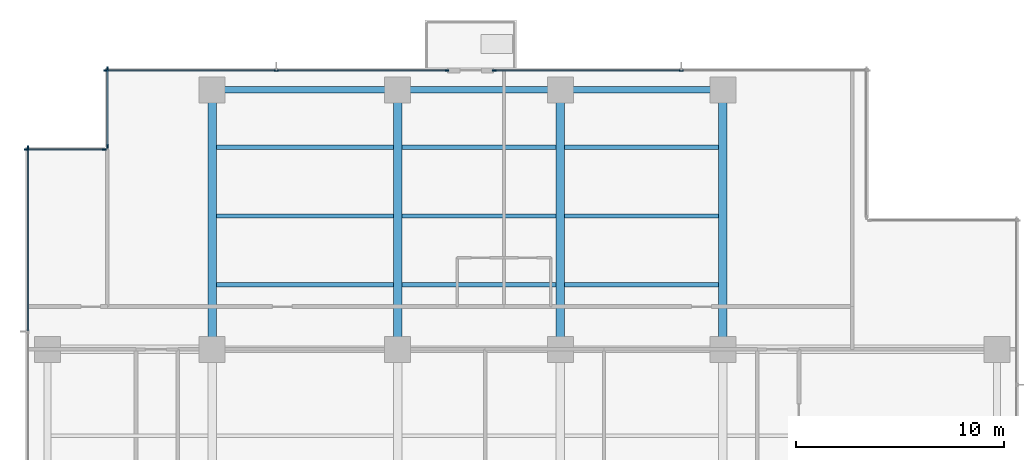
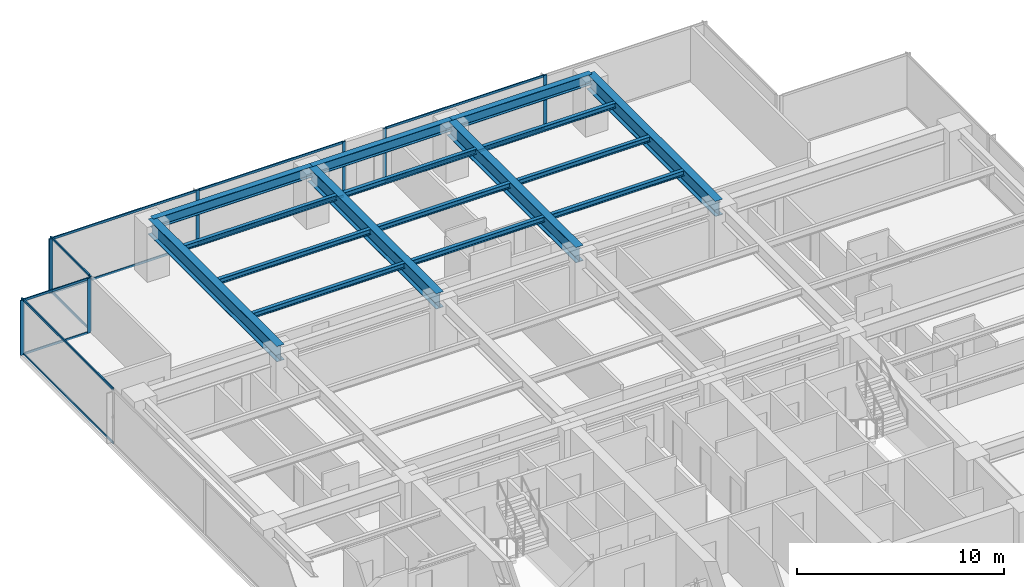
# One storey, part 5 of 16: 22 members, 16 beams, 5 elements without a shape of their own.
"""IFC4 building model written with IfcOpenShell, lengths in metres."""

from ifc_helpers import new_model, si_unit, direction, frame, origin, origin_2d, place, context, subcontext, project, spatial, rectangle, i_section, extrude, material, layer, layer_set, material_profile, profile_set, type_object, element, aggregate, save


model = new_model("IFC4")

# Units and contexts
model_context = context("Model", 3, precision=1e-05, world=origin(), true_north=direction((0.0, 1.0)))
body_context = subcontext(model_context, "Body", "Model", "MODEL_VIEW")
ifc_project = project(units=[si_unit("LENGTHUNIT", "METRE"), si_unit("AREAUNIT", "SQUARE_METRE"), si_unit("VOLUMEUNIT", "CUBIC_METRE"), si_unit("PLANEANGLEUNIT", "RADIAN"), si_unit("MASSUNIT", "GRAM", prefix="KILO")], contexts=[model_context])

# Site, building, storey
site_placement = place(None, origin())
site = spatial("IfcSite", under=ifc_project, at=site_placement, CompositionType="ELEMENT")
building_placement = place(site_placement, origin())
building = spatial("IfcBuilding", under=site, at=building_placement, Name="Qalmaran Belvedere Hotel", CompositionType="ELEMENT")
storey_placement = place(building_placement, frame((0.0, 0.0, 123.199951171875)))
storey = spatial("IfcBuildingStorey", under=building, at=storey_placement, Name="L31", CompositionType="ELEMENT", Elevation=123.199951171875)

# Beams
ifc_material_1 = material(Name="Steel S355JR", Category="steel")
ifc_material_profile_1 = material_profile(ifc_material_1, i_section(OverallWidth=0.202880859375, OverallDepth=0.302978515625, WebThickness=0.007568359375, FlangeThickness=0.01318359375, FilletRadius=0.012939453125, at=origin_2d()), Name="W310X60")
ifc_profile_set_1 = profile_set([ifc_material_profile_1], Name="Steel S355JR")
beam_type_1 = type_object("IfcBeamType", Name="BM-JST-W310X60", PredefinedType="JOIST", material=ifc_profile_set_1)
beam_1_placement = place(storey_placement, frame((20.507080078125, 36.10009765625, 3.088623046875), z_axis=(1.0, 0.0, 0.0), x_axis=(0.0, 1.0, 0.0)))
element("IfcBeam", 1, at=beam_1_placement, inside=storey, type_object=beam_type_1, Name="L31 North Floor Joist 042", PredefinedType="JOIST", context=body_context, shape_type="SweptSolid", body=[
    extrude(i_section(OverallWidth=0.202880859375, OverallDepth=0.302978515625, WebThickness=0.007568359375, FlangeThickness=0.01318359375, FilletRadius=0.012939453125, at=origin_2d()), origin(), (0.0, 0.0, 1.0), 8.48583984375),
])
for number, where, z_axis, x_axis, name in (
    (2, (29.406982421875, 36.10009765625, 3.088623046875), (1.0, 0.0, 0.0), (0.0, 1.0, 0.0), "L31 North Floor Joist 043"),
    (3, (37.20703125, 36.10009765625, 3.088623046875), (1.0, 0.0, 0.0), (0.0, 1.0, 0.0), "L31 North Floor Joist 044"),
):
    element("IfcBeam", number, at=place(storey_placement, frame(where, z_axis=z_axis, x_axis=x_axis)), inside=storey, type_object=beam_type_1, Name=name, PredefinedType="JOIST", context=body_context, shape_type="SweptSolid", body=[
        extrude(i_section(OverallWidth=0.202880859375, OverallDepth=0.302978515625, WebThickness=0.007568359375, FlangeThickness=0.01318359375, FilletRadius=0.012939453125, at=origin_2d()), origin(), (0.0, 0.0, 1.0), 7.385986328125),
    ])
beam_2_placement = place(storey_placement, frame((20.507080078125, 39.39990234375, 3.088623046875), z_axis=(1.0, 0.0, 0.0), x_axis=(0.0, 1.0, 0.0)))
element("IfcBeam", 4, at=beam_2_placement, inside=storey, type_object=beam_type_1, Name="L31 North Floor Joist 045", PredefinedType="JOIST", context=body_context, shape_type="SweptSolid", body=[
    extrude(i_section(OverallWidth=0.202880859375, OverallDepth=0.302978515625, WebThickness=0.007568359375, FlangeThickness=0.01318359375, FilletRadius=0.012939453125, at=origin_2d()), origin(), (0.0, 0.0, 1.0), 8.48583984375),
])
for number, where, z_axis, x_axis, name in (
    (5, (29.406982421875, 39.39990234375, 3.088623046875), (1.0, 0.0, 0.0), (0.0, 1.0, 0.0), "L31 North Floor Joist 046"),
    (6, (37.20703125, 39.39990234375, 3.088623046875), (1.0, 0.0, 0.0), (0.0, 1.0, 0.0), "L31 North Floor Joist 047"),
):
    element("IfcBeam", number, at=place(storey_placement, frame(where, z_axis=z_axis, x_axis=x_axis)), inside=storey, type_object=beam_type_1, Name=name, PredefinedType="JOIST", context=body_context, shape_type="SweptSolid", body=[
        extrude(i_section(OverallWidth=0.202880859375, OverallDepth=0.302978515625, WebThickness=0.007568359375, FlangeThickness=0.01318359375, FilletRadius=0.012939453125, at=origin_2d()), origin(), (0.0, 0.0, 1.0), 7.385986328125),
    ])
beam_3_placement = place(storey_placement, frame((20.507080078125, 42.699951171875, 3.088623046875), z_axis=(1.0, 0.0, 0.0), x_axis=(0.0, 1.0, 0.0)))
element("IfcBeam", 7, at=beam_3_placement, inside=storey, type_object=beam_type_1, Name="L31 North Floor Joist 048", PredefinedType="JOIST", context=body_context, shape_type="SweptSolid", body=[
    extrude(i_section(OverallWidth=0.202880859375, OverallDepth=0.302978515625, WebThickness=0.007568359375, FlangeThickness=0.01318359375, FilletRadius=0.012939453125, at=origin_2d()), origin(), (0.0, 0.0, 1.0), 8.48583984375),
])
for number, where, z_axis, x_axis, name in (
    (8, (29.406982421875, 42.699951171875, 3.088623046875), (1.0, 0.0, 0.0), (0.0, 1.0, 0.0), "L31 North Floor Joist 049"),
    (9, (37.20703125, 42.699951171875, 3.088623046875), (1.0, 0.0, 0.0), (0.0, 1.0, 0.0), "L31 North Floor Joist 050"),
):
    element("IfcBeam", number, at=place(storey_placement, frame(where, z_axis=z_axis, x_axis=x_axis)), inside=storey, type_object=beam_type_1, Name=name, PredefinedType="JOIST", context=body_context, shape_type="SweptSolid", body=[
        extrude(i_section(OverallWidth=0.202880859375, OverallDepth=0.302978515625, WebThickness=0.007568359375, FlangeThickness=0.01318359375, FilletRadius=0.012939453125, at=origin_2d()), origin(), (0.0, 0.0, 1.0), 7.385986328125),
    ])
ifc_material_profile_2 = material_profile(ifc_material_1, i_section(OverallWidth=0.41796875, OverallDepth=0.912109375, WebThickness=0.019287109375, FlangeThickness=0.031982421875, FilletRadius=0.02392578125, at=origin_2d()), Name="W920X342")
ifc_profile_set_2 = profile_set([ifc_material_profile_2], Name="Steel S355JR")
beam_type_2 = type_object("IfcBeamType", Name="BM-PG2-W920X342", PredefinedType="USERDEFINED", material=ifc_profile_set_2)
for number, where, z_axis, x_axis, name in (
    (10, (20.300048828125, 33.0, 2.783935546875), (0.0, 1.0, 0.0), (-1.0, 0.0, 0.0), "L31 North Bay Girder 15"),
    (11, (29.199951171875, 33.0, 2.783935546875), (0.0, 1.0, 0.0), (-1.0, 0.0, 0.0), "L31 North Bay Girder 17"),
    (12, (37.0, 33.0, 2.783935546875), (0.0, 1.0, 0.0), (-1.0, 0.0, 0.0), "L31 North Bay Girder 19"),
    (13, (44.800048828125, 33.0, 2.783935546875), (0.0, 1.0, 0.0), (-1.0, 0.0, 0.0), "L31 North Bay Girder 21"),
):
    element("IfcBeam", number, at=place(storey_placement, frame(where, z_axis=z_axis, x_axis=x_axis)), inside=storey, type_object=beam_type_2, Name=name, ObjectType="GIRDER", PredefinedType="USERDEFINED", context=body_context, shape_type="SweptSolid", body=[
        extrude(i_section(OverallWidth=0.41796875, OverallDepth=0.912109375, WebThickness=0.019287109375, FlangeThickness=0.031982421875, FilletRadius=0.02392578125, at=origin_2d()), origin(), (0.0, 0.0, 1.0), 12.449951171875),
    ])
ifc_material_profile_3 = material_profile(ifc_material_1, i_section(OverallWidth=0.326904296875, OverallDepth=0.6220703125, WebThickness=0.015380859375, FlangeThickness=0.0244140625, FilletRadius=0.02001953125, at=origin_2d()), Name="W610X195")
ifc_profile_set_3 = profile_set([ifc_material_profile_3], Name="Steel S355JR")
beam_type_3 = type_object("IfcBeamType", Name="BM-SP1-W610X195", PredefinedType="SPANDREL", material=ifc_profile_set_3)
beam_4_placement = place(storey_placement, frame((20.300048828125, 45.449951171875, 2.928955078125), z_axis=(1.0, 0.0, 0.0), x_axis=(0.0, 1.0, 0.0)))
element("IfcBeam", 14, at=beam_4_placement, inside=storey, type_object=beam_type_3, Name="L31 Perimeter Spandrel 05", PredefinedType="SPANDREL", context=body_context, shape_type="SweptSolid", body=[
    extrude(i_section(OverallWidth=0.326904296875, OverallDepth=0.6220703125, WebThickness=0.015380859375, FlangeThickness=0.0244140625, FilletRadius=0.02001953125, at=origin_2d()), origin(), (0.0, 0.0, 1.0), 8.89990234375),
])
for number, where, z_axis, x_axis, name in (
    (15, (29.199951171875, 45.449951171875, 2.928955078125), (1.0, 0.0, 0.0), (0.0, 1.0, 0.0), "L31 Perimeter Spandrel 06"),
    (16, (37.0, 45.449951171875, 2.928955078125), (1.0, 0.0, 0.0), (0.0, 1.0, 0.0), "L31 Perimeter Spandrel 07"),
):
    element("IfcBeam", number, at=place(storey_placement, frame(where, z_axis=z_axis, x_axis=x_axis)), inside=storey, type_object=beam_type_3, Name=name, PredefinedType="SPANDREL", context=body_context, shape_type="SweptSolid", body=[
        extrude(i_section(OverallWidth=0.326904296875, OverallDepth=0.6220703125, WebThickness=0.015380859375, FlangeThickness=0.0244140625, FilletRadius=0.02001953125, at=origin_2d()), origin(), (0.0, 0.0, 1.0), 7.800048828125),
    ])

# Curtain wall, members
ifc_material_2 = material(Name="Anodised Bronze Aluminium", Category="aluminium")
ifc_layer = layer(ifc_material_2, 0.199951171875, Name="Anodised Bronze Aluminium")
ifc_layer_set = layer_set([ifc_layer], Name="Anodised Bronze Aluminium")
curtain_wall_type = type_object("IfcCurtainWallType", Name="CW3-TOWER-LOWMID", PredefinedType="NOTDEFINED", material=ifc_layer_set)
curtain_wall_1_placement = place(storey_placement, origin())
curtain_wall_1 = element("IfcCurtainWall", 17, at=curtain_wall_1_placement, inside=storey, type_object=curtain_wall_type, Name="L31 Curtain Wall CW3", PredefinedType="NOTDEFINED")
ifc_material_profile_4 = material_profile(ifc_material_2, rectangle(XDim=0.070068359375, YDim=0.18994140625, at=origin_2d()), Name="CWM70X190")
ifc_profile_set_4 = profile_set([ifc_material_profile_4], Name="Anodised Bronze Aluminium")
member_type_1 = type_object("IfcMemberType", Name="CWM-70X190", PredefinedType="MULLION", material=ifc_profile_set_4)
member_1_placement = place(storey_placement, frame((31.56494140625, 46.3798828125, 0.0), z_axis=(0.0, 0.0, 1.0), x_axis=(0.0, -1.0, 0.0)))
member_1 = element("IfcMember", 18, at=member_1_placement, type_object=member_type_1, Name="CW3 mullion 1", PredefinedType="MULLION", context=body_context, shape_type="SweptSolid", body=[
    extrude(rectangle(XDim=0.070068359375, YDim=0.18994140625, at=origin_2d()), origin(), (0.0, 0.0, 1.0), 3.239990234375),
])
member_2_placement = place(storey_placement, frame((23.375, 46.3798828125, 0.0), z_axis=(0.0, 0.0, 1.0), x_axis=(0.0, -1.0, 0.0)))
member_2 = element("IfcMember", 19, at=member_2_placement, type_object=member_type_1, Name="CW3 mullion 2", PredefinedType="MULLION", context=body_context, shape_type="SweptSolid", body=[
    extrude(rectangle(XDim=0.070068359375, YDim=0.18994140625, at=origin_2d()), origin(), (0.0, 0.0, 1.0), 3.239990234375),
])
member_3_placement = place(storey_placement, frame((15.18505859375, 46.3798828125, 0.0), z_axis=(0.0, 0.0, 1.0), x_axis=(0.0, -1.0, 0.0)))
member_3 = element("IfcMember", 20, at=member_3_placement, type_object=member_type_1, Name="CW3 mullion 3", PredefinedType="MULLION", context=body_context, shape_type="SweptSolid", body=[
    extrude(rectangle(XDim=0.070068359375, YDim=0.18994140625, at=origin_2d()), origin(), (0.0, 0.0, 1.0), 3.239990234375),
])

curtain_wall_2_placement = place(storey_placement, origin())
curtain_wall_2 = element("IfcCurtainWall", 21, at=curtain_wall_2_placement, inside=storey, type_object=curtain_wall_type, Name="L31 Curtain Wall CW3", PredefinedType="NOTDEFINED")
member_4_placement = place(storey_placement, frame((42.800048828125, 46.3798828125, 0.0), z_axis=(0.0, 0.0, 1.0), x_axis=(0.0, -1.0, 0.0)))
member_4 = element("IfcMember", 22, at=member_4_placement, type_object=member_type_1, Name="CW3 mullion 2", PredefinedType="MULLION", context=body_context, shape_type="SweptSolid", body=[
    extrude(rectangle(XDim=0.070068359375, YDim=0.18994140625, at=origin_2d()), origin(), (0.0, 0.0, 1.0), 3.239990234375),
])
member_5_placement = place(storey_placement, frame((33.8349609375, 46.3798828125, 0.0), z_axis=(0.0, 0.0, 1.0), x_axis=(0.0, -1.0, 0.0)))
member_5 = element("IfcMember", 23, at=member_5_placement, type_object=member_type_1, Name="CW3 mullion 3", PredefinedType="MULLION", context=body_context, shape_type="SweptSolid", body=[
    extrude(rectangle(XDim=0.070068359375, YDim=0.18994140625, at=origin_2d()), origin(), (0.0, 0.0, 1.0), 3.239990234375),
])

curtain_wall_3_placement = place(storey_placement, origin())
curtain_wall_3 = element("IfcCurtainWall", 24, at=curtain_wall_3_placement, inside=storey, type_object=curtain_wall_type, Name="L31 Curtain Wall CW3", PredefinedType="NOTDEFINED")
member_6_placement = place(storey_placement, frame((15.27001953125, 46.465087890625, 0.0), z_axis=(0.0, 0.0, 1.0), x_axis=(1.0, 0.0, 0.0)))
member_6 = element("IfcMember", 25, at=member_6_placement, type_object=member_type_1, Name="CW3 mullion 1", PredefinedType="MULLION", context=body_context, shape_type="SweptSolid", body=[
    extrude(rectangle(XDim=0.070068359375, YDim=0.18994140625, at=origin_2d()), origin(), (0.0, 0.0, 1.0), 3.239990234375),
])
member_7_placement = place(storey_placement, frame((15.27001953125, 42.735107421875, 0.0), z_axis=(0.0, 0.0, 1.0), x_axis=(1.0, 0.0, 0.0)))
member_7 = element("IfcMember", 26, at=member_7_placement, type_object=member_type_1, Name="CW3 mullion 2", PredefinedType="MULLION", context=body_context, shape_type="SweptSolid", body=[
    extrude(rectangle(XDim=0.070068359375, YDim=0.18994140625, at=origin_2d()), origin(), (0.0, 0.0, 1.0), 3.239990234375),
])

curtain_wall_4_placement = place(storey_placement, origin())
curtain_wall_4 = element("IfcCurtainWall", 27, at=curtain_wall_4_placement, inside=storey, type_object=curtain_wall_type, Name="L31 Curtain Wall CW3", PredefinedType="NOTDEFINED")
member_8_placement = place(storey_placement, frame((15.114990234375, 42.580078125, 0.0), z_axis=(0.0, 0.0, 1.0), x_axis=(0.0, -1.0, 0.0)))
member_8 = element("IfcMember", 28, at=member_8_placement, type_object=member_type_1, Name="CW3 mullion 1", PredefinedType="MULLION", context=body_context, shape_type="SweptSolid", body=[
    extrude(rectangle(XDim=0.070068359375, YDim=0.18994140625, at=origin_2d()), origin(), (0.0, 0.0, 1.0), 3.239990234375),
])
member_9_placement = place(storey_placement, frame((11.385009765625, 42.580078125, 0.0), z_axis=(0.0, 0.0, 1.0), x_axis=(0.0, -1.0, 0.0)))
member_9 = element("IfcMember", 29, at=member_9_placement, type_object=member_type_1, Name="CW3 mullion 2", PredefinedType="MULLION", context=body_context, shape_type="SweptSolid", body=[
    extrude(rectangle(XDim=0.070068359375, YDim=0.18994140625, at=origin_2d()), origin(), (0.0, 0.0, 1.0), 3.239990234375),
])

# Curtain wall, member
curtain_wall_5_placement = place(storey_placement, origin())
curtain_wall_5 = element("IfcCurtainWall", 30, at=curtain_wall_5_placement, inside=storey, type_object=curtain_wall_type, Name="L31 Curtain Wall CW3", PredefinedType="NOTDEFINED")
member_10_placement = place(storey_placement, frame((11.469970703125, 42.6650390625, 0.0), z_axis=(0.0, 0.0, 1.0), x_axis=(1.0, 0.0, 0.0)))
member_10 = element("IfcMember", 31, at=member_10_placement, type_object=member_type_1, Name="CW3 mullion 1", PredefinedType="MULLION", context=body_context, shape_type="SweptSolid", body=[
    extrude(rectangle(XDim=0.070068359375, YDim=0.18994140625, at=origin_2d()), origin(), (0.0, 0.0, 1.0), 3.239990234375),
])

# Member
ifc_material_profile_5 = material_profile(ifc_material_2, rectangle(XDim=0.06494140625, YDim=0.1298828125, at=origin_2d()), Name="CWT65X130")
ifc_profile_set_5 = profile_set([ifc_material_profile_5], Name="Anodised Bronze Aluminium")
member_type_2 = type_object("IfcMemberType", Name="CWT-65X130", PredefinedType="USERDEFINED", material=ifc_profile_set_5)
member_11_placement = place(storey_placement, frame((31.530029296875, 46.3798828125, 0.032470703125), z_axis=(-1.0, 0.0, 0.0), x_axis=(0.0, -1.0, 0.0)))
member_11 = element("IfcMember", 32, at=member_11_placement, type_object=member_type_2, Name="CW3 transom 1.1", ObjectType="TRANSOM", PredefinedType="USERDEFINED", context=body_context, shape_type="SweptSolid", body=[
    extrude(rectangle(XDim=0.06494140625, YDim=0.1298828125, at=origin_2d()), origin(), (0.0, 0.0, 1.0), 8.1201171875),
])

member_12_placement = place(storey_placement, frame((31.530029296875, 46.3798828125, 3.20751953125), z_axis=(-1.0, 0.0, 0.0), x_axis=(0.0, -1.0, 0.0)))
member_12 = element("IfcMember", 33, at=member_12_placement, type_object=member_type_2, Name="CW3 transom 1.2", ObjectType="TRANSOM", PredefinedType="USERDEFINED", context=body_context, shape_type="SweptSolid", body=[
    extrude(rectangle(XDim=0.06494140625, YDim=0.1298828125, at=origin_2d()), origin(), (0.0, 0.0, 1.0), 8.1201171875),
])

member_13_placement = place(storey_placement, frame((23.340087890625, 46.3798828125, 0.032470703125), z_axis=(-1.0, 0.0, 0.0), x_axis=(0.0, -1.0, 0.0)))
member_13 = element("IfcMember", 34, at=member_13_placement, type_object=member_type_2, Name="CW3 transom 2.1", ObjectType="TRANSOM", PredefinedType="USERDEFINED", context=body_context, shape_type="SweptSolid", body=[
    extrude(rectangle(XDim=0.06494140625, YDim=0.1298828125, at=origin_2d()), origin(), (0.0, 0.0, 1.0), 8.1201171875),
])

member_14_placement = place(storey_placement, frame((23.340087890625, 46.3798828125, 3.20751953125), z_axis=(-1.0, 0.0, 0.0), x_axis=(0.0, -1.0, 0.0)))
member_14 = element("IfcMember", 35, at=member_14_placement, type_object=member_type_2, Name="CW3 transom 2.2", ObjectType="TRANSOM", PredefinedType="USERDEFINED", context=body_context, shape_type="SweptSolid", body=[
    extrude(rectangle(XDim=0.06494140625, YDim=0.1298828125, at=origin_2d()), origin(), (0.0, 0.0, 1.0), 8.1201171875),
])

aggregate(curtain_wall_1, [member_1, member_2, member_3, member_11, member_12, member_13, member_14])

member_15_placement = place(storey_placement, frame((42.764892578125, 46.3798828125, 0.032470703125), z_axis=(-1.0, 0.0, 0.0), x_axis=(0.0, -1.0, 0.0)))
member_15 = element("IfcMember", 36, at=member_15_placement, type_object=member_type_2, Name="CW3 transom 2.1", ObjectType="TRANSOM", PredefinedType="USERDEFINED", context=body_context, shape_type="SweptSolid", body=[
    extrude(rectangle(XDim=0.06494140625, YDim=0.1298828125, at=origin_2d()), origin(), (0.0, 0.0, 1.0), 8.894775390625),
])

member_16_placement = place(storey_placement, frame((42.764892578125, 46.3798828125, 3.20751953125), z_axis=(-1.0, 0.0, 0.0), x_axis=(0.0, -1.0, 0.0)))
member_16 = element("IfcMember", 37, at=member_16_placement, type_object=member_type_2, Name="CW3 transom 2.2", ObjectType="TRANSOM", PredefinedType="USERDEFINED", context=body_context, shape_type="SweptSolid", body=[
    extrude(rectangle(XDim=0.06494140625, YDim=0.1298828125, at=origin_2d()), origin(), (0.0, 0.0, 1.0), 8.894775390625),
])

aggregate(curtain_wall_2, [member_4, member_5, member_15, member_16])

member_17_placement = place(storey_placement, frame((15.27001953125, 46.429931640625, 0.032470703125), z_axis=(0.0, -1.0, 0.0), x_axis=(1.0, 0.0, 0.0)))
member_17 = element("IfcMember", 38, at=member_17_placement, type_object=member_type_2, Name="CW3 transom 1.1", ObjectType="TRANSOM", PredefinedType="USERDEFINED", context=body_context, shape_type="SweptSolid", body=[
    extrude(rectangle(XDim=0.06494140625, YDim=0.1298828125, at=origin_2d()), origin(), (0.0, 0.0, 1.0), 3.659912109375),
])

member_18_placement = place(storey_placement, frame((15.27001953125, 46.429931640625, 3.20751953125), z_axis=(0.0, -1.0, 0.0), x_axis=(1.0, 0.0, 0.0)))
member_18 = element("IfcMember", 39, at=member_18_placement, type_object=member_type_2, Name="CW3 transom 1.2", ObjectType="TRANSOM", PredefinedType="USERDEFINED", context=body_context, shape_type="SweptSolid", body=[
    extrude(rectangle(XDim=0.06494140625, YDim=0.1298828125, at=origin_2d()), origin(), (0.0, 0.0, 1.0), 3.659912109375),
])

aggregate(curtain_wall_3, [member_6, member_7, member_17, member_18])

member_19_placement = place(storey_placement, frame((15.080078125, 42.580078125, 0.032470703125), z_axis=(-1.0, 0.0, 0.0), x_axis=(0.0, -1.0, 0.0)))
member_19 = element("IfcMember", 40, at=member_19_placement, type_object=member_type_2, Name="CW3 transom 1.1", ObjectType="TRANSOM", PredefinedType="USERDEFINED", context=body_context, shape_type="SweptSolid", body=[
    extrude(rectangle(XDim=0.06494140625, YDim=0.1298828125, at=origin_2d()), origin(), (0.0, 0.0, 1.0), 3.66015625),
])

member_20_placement = place(storey_placement, frame((15.080078125, 42.580078125, 3.20751953125), z_axis=(-1.0, 0.0, 0.0), x_axis=(0.0, -1.0, 0.0)))
member_20 = element("IfcMember", 41, at=member_20_placement, type_object=member_type_2, Name="CW3 transom 1.2", ObjectType="TRANSOM", PredefinedType="USERDEFINED", context=body_context, shape_type="SweptSolid", body=[
    extrude(rectangle(XDim=0.06494140625, YDim=0.1298828125, at=origin_2d()), origin(), (0.0, 0.0, 1.0), 3.66015625),
])

aggregate(curtain_wall_4, [member_8, member_9, member_19, member_20])

member_21_placement = place(storey_placement, frame((11.469970703125, 42.6298828125, 0.032470703125), z_axis=(0.0, -1.0, 0.0), x_axis=(1.0, 0.0, 0.0)))
member_21 = element("IfcMember", 42, at=member_21_placement, type_object=member_type_2, Name="CW3 transom 1.1", ObjectType="TRANSOM", PredefinedType="USERDEFINED", context=body_context, shape_type="SweptSolid", body=[
    extrude(rectangle(XDim=0.06494140625, YDim=0.1298828125, at=origin_2d()), origin(), (0.0, 0.0, 1.0), 8.744873046875),
])

member_22_placement = place(storey_placement, frame((11.469970703125, 42.6298828125, 3.20751953125), z_axis=(0.0, -1.0, 0.0), x_axis=(1.0, 0.0, 0.0)))
member_22 = element("IfcMember", 43, at=member_22_placement, type_object=member_type_2, Name="CW3 transom 1.2", ObjectType="TRANSOM", PredefinedType="USERDEFINED", context=body_context, shape_type="SweptSolid", body=[
    extrude(rectangle(XDim=0.06494140625, YDim=0.1298828125, at=origin_2d()), origin(), (0.0, 0.0, 1.0), 8.744873046875),
])

aggregate(curtain_wall_5, [member_10, member_21, member_22])

save(model, "model.ifc")
